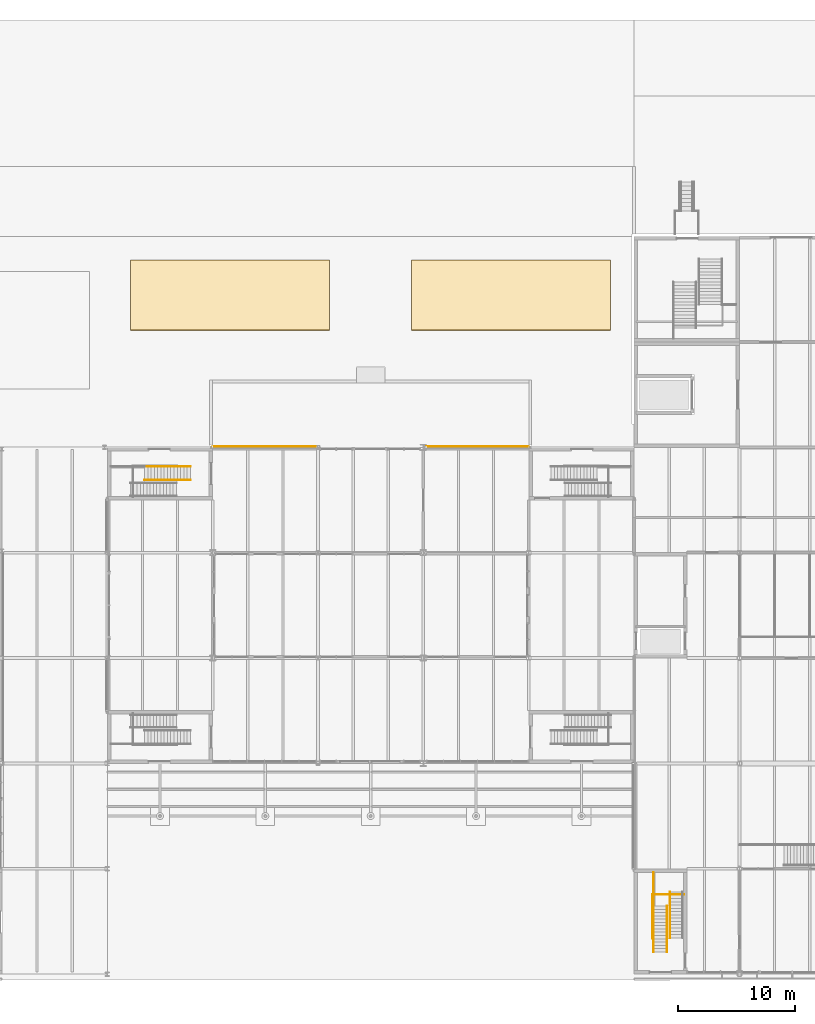
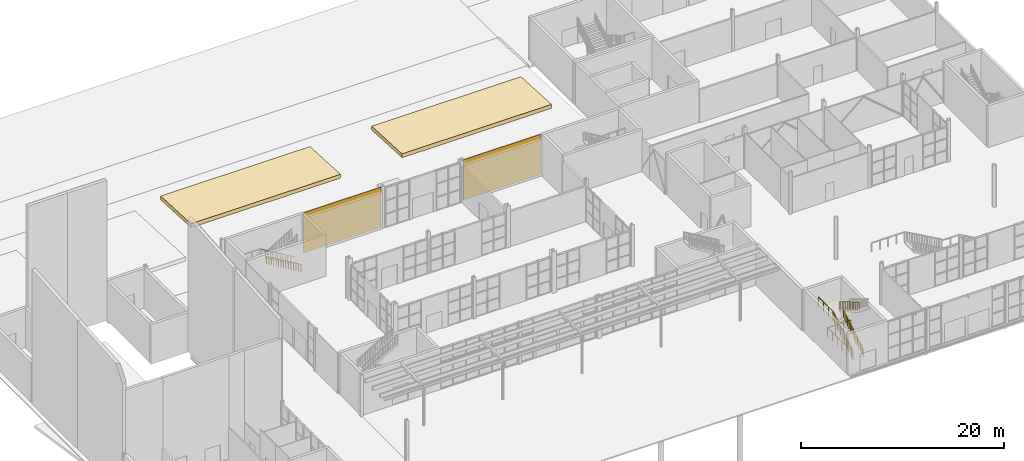
# One storey, part 56 of 63: 7 railings, 4 coverings.
"""IFC4 building model written with IfcOpenShell, lengths in metres."""

from ifc_helpers import new_model, si_unit, direction, frame, frame_2d, origin, origin_2d, place, context, subcontext, project, spatial, polyline, rectangle, circle, outline, extrude, material, layer, layer_set, type_object, element, save


model = new_model("IFC4")

# Units and contexts
model_context = context("Model", 3, precision=1e-05, world=origin(), true_north=direction((0.0, 1.0)))
body_context = subcontext(model_context, "Body", "Model", "MODEL_VIEW")
ifc_project = project(units=[si_unit("LENGTHUNIT", "METRE"), si_unit("AREAUNIT", "SQUARE_METRE"), si_unit("VOLUMEUNIT", "CUBIC_METRE"), si_unit("PLANEANGLEUNIT", "RADIAN"), si_unit("MASSUNIT", "GRAM", prefix="KILO")], contexts=[model_context])

# Site, building, storey
site_placement = place(None, origin())
site = spatial("IfcSite", under=ifc_project, at=site_placement, CompositionType="ELEMENT")
building_placement = place(site_placement, origin())
building = spatial("IfcBuilding", under=site, at=building_placement, Name="Halyard Row Museum", CompositionType="ELEMENT")
storey_placement = place(building_placement, origin())
storey = spatial("IfcBuildingStorey", under=building, at=storey_placement, Name="L00", CompositionType="ELEMENT", Elevation=0.0)

# Railings
ifc_material_1 = material(Name="Steel Grade 300", Category="steel")
railing_type_1 = type_object("IfcRailingType", Name="Guard GR2 steel balustrade 1100", PredefinedType="GUARDRAIL", material=ifc_material_1)
railing_1_placement = place(storey_placement, frame((34.10009765625, 43.35009765625, 0.166748046875)))
element("IfcRailing", 1, at=railing_1_placement, inside=storey, type_object=railing_type_1, Name="Guard GR003", PredefinedType="GUARDRAIL", context=body_context, shape_type="SweptSolid", body=[
    extrude(circle(Radius=0.02392578125, at=origin_2d()), frame((0.0, 0.0, 1.076171875), z_axis=(-0.859535888021, 0.0, 0.511075392877), x_axis=(0.0, -1.0, 0.0)), (0.0, 0.0, 1.0), 0.32568359375),
    extrude(circle(Radius=0.02392578125, at=origin_2d()), frame((-0.280029296875, 0.0, 1.24267578125), z_axis=(-0.859206643714, 0.0, 0.511628716353), x_axis=(0.0, -1.0, 0.0)), (0.0, 0.0, 1.0), 0.325927734375),
    extrude(circle(Radius=0.02392578125, at=origin_2d()), frame((-0.56005859375, 0.0, 1.4091796875), z_axis=(-0.859206643714, 0.0, 0.511628716353), x_axis=(0.0, -1.0, 0.0)), (0.0, 0.0, 1.0), 0.325927734375),
    extrude(circle(Radius=0.02392578125, at=origin_2d()), frame((-0.840087890625, 0.0, 1.576171875), z_axis=(-0.859535888021, 0.0, 0.511075392877), x_axis=(0.0, -1.0, 0.0)), (0.0, 0.0, 1.0), 0.32568359375),
    extrude(circle(Radius=0.02392578125, at=origin_2d()), frame((-1.1201171875, 0.0, 1.74267578125), z_axis=(-0.859206643714, 0.0, 0.511628716353), x_axis=(0.0, -1.0, 0.0)), (0.0, 0.0, 1.0), 0.325927734375),
    extrude(circle(Radius=0.02392578125, at=origin_2d()), frame((-1.400146484375, 0.0, 1.9091796875), z_axis=(-0.859206643714, 0.0, 0.511628716353), x_axis=(0.0, -1.0, 0.0)), (0.0, 0.0, 1.0), 0.325927734375),
    extrude(circle(Radius=0.02392578125, at=origin_2d()), frame((-1.68017578125, 0.0, 2.076171875), z_axis=(-0.859535888021, 0.0, 0.511075392877), x_axis=(0.0, -1.0, 0.0)), (0.0, 0.0, 1.0), 0.32568359375),
    extrude(circle(Radius=0.02392578125, at=origin_2d()), frame((-1.960205078125, 0.0, 2.24267578125), z_axis=(-0.859010369412, 0.0, 0.511958187006), x_axis=(0.0, -1.0, 0.0)), (0.0, 0.0, 1.0), 0.32568359375),
    extrude(circle(Radius=0.02392578125, at=origin_2d()), frame((-2.239990234375, 0.0, 2.4091796875), z_axis=(-0.859206643714, 0.0, 0.511628716353), x_axis=(0.0, -1.0, 0.0)), (0.0, 0.0, 1.0), 0.325927734375),
    extrude(circle(Radius=0.02392578125, at=origin_2d()), frame((-2.52001953125, 0.0, 2.576171875), z_axis=(-0.859535888021, 0.0, 0.511075392877), x_axis=(0.0, -1.0, 0.0)), (0.0, 0.0, 1.0), 0.32568359375),
    extrude(circle(Radius=0.02392578125, at=origin_2d()), frame((-2.800048828125, 0.0, 2.74267578125), z_axis=(-0.859206643714, 0.0, 0.511628716353), x_axis=(0.0, -1.0, 0.0)), (0.0, 0.0, 1.0), 0.325927734375),
    extrude(circle(Radius=0.02392578125, at=origin_2d()), frame((-3.080078125, 0.0, 2.9091796875), z_axis=(-0.859206643714, 0.0, 0.511628716353), x_axis=(0.0, -1.0, 0.0)), (0.0, 0.0, 1.0), 0.325927734375),
    extrude(circle(Radius=0.02392578125, at=origin_2d()), frame((-3.360107421875, 0.0, 3.076171875), z_axis=(-0.859535888021, 0.0, 0.511075392877), x_axis=(0.0, -1.0, 0.0)), (0.0, 0.0, 1.0), 0.32568359375),
    extrude(circle(Radius=0.02392578125, at=origin_2d()), frame((-3.64013671875, 0.0, 3.24267578125), z_axis=(-0.859206643714, 0.0, 0.511628716353), x_axis=(0.0, -1.0, 0.0)), (0.0, 0.0, 1.0), 0.325927734375),
    extrude(circle(Radius=0.02099609375, at=origin_2d()), origin(), (0.0, 0.0, 1.0), 1.052001953125),
    extrude(circle(Radius=0.02099609375, at=origin_2d()), frame((-0.280029296875, 0.0, 0.16650390625)), (0.0, 0.0, 1.0), 1.052001953125),
    extrude(circle(Radius=0.02099609375, at=origin_2d()), frame((-0.56005859375, 0.0, 0.333251953125)), (0.0, 0.0, 1.0), 1.052001953125),
    extrude(circle(Radius=0.02099609375, at=origin_2d()), frame((-0.840087890625, 0.0, 0.5)), (0.0, 0.0, 1.0), 1.052001953125),
    extrude(circle(Radius=0.02099609375, at=origin_2d()), frame((-1.1201171875, 0.0, 0.66650390625)), (0.0, 0.0, 1.0), 1.052001953125),
    extrude(circle(Radius=0.02099609375, at=origin_2d()), frame((-1.400146484375, 0.0, 0.833251953125)), (0.0, 0.0, 1.0), 1.052001953125),
    extrude(circle(Radius=0.02099609375, at=origin_2d()), frame((-1.68017578125, 0.0, 1.0)), (0.0, 0.0, 1.0), 1.052001953125),
    extrude(circle(Radius=0.02099609375, at=origin_2d()), frame((-1.960205078125, 0.0, 1.16650390625)), (0.0, 0.0, 1.0), 1.052001953125),
    extrude(circle(Radius=0.02099609375, at=origin_2d()), frame((-2.239990234375, 0.0, 1.333251953125)), (0.0, 0.0, 1.0), 1.052001953125),
    extrude(circle(Radius=0.02099609375, at=origin_2d()), frame((-2.52001953125, 0.0, 1.5)), (0.0, 0.0, 1.0), 1.052001953125),
    extrude(circle(Radius=0.02099609375, at=origin_2d()), frame((-2.800048828125, 0.0, 1.66650390625)), (0.0, 0.0, 1.0), 1.052001953125),
    extrude(circle(Radius=0.02099609375, at=origin_2d()), frame((-3.080078125, 0.0, 1.833251953125)), (0.0, 0.0, 1.0), 1.052001953125),
    extrude(circle(Radius=0.02099609375, at=origin_2d()), frame((-3.360107421875, 0.0, 2.0)), (0.0, 0.0, 1.0), 1.052001953125),
    extrude(circle(Radius=0.02099609375, at=origin_2d()), frame((-3.64013671875, 0.0, 2.16650390625)), (0.0, 0.0, 1.0), 1.052001953125),
    extrude(circle(Radius=0.02099609375, at=origin_2d()), frame((-3.920166015625, 0.0, 2.333251953125)), (0.0, 0.0, 1.0), 1.052001953125),
])
railing_2_placement = place(storey_placement, frame((73.64990234375, 1.89990234375, 0.166748046875)))
element("IfcRailing", 2, at=railing_2_placement, inside=storey, type_object=railing_type_1, Name="Guard GR039", PredefinedType="GUARDRAIL", context=body_context, shape_type="SweptSolid", body=[
    extrude(circle(Radius=0.02392578125, at=origin_2d()), frame((0.0, 0.0, 1.076171875), z_axis=(0.0, 0.859535888021, 0.511075392877), x_axis=(-1.0, 0.0, 0.0)), (0.0, 0.0, 1.0), 0.32568359375),
    extrude(circle(Radius=0.02392578125, at=origin_2d()), frame((0.0, 0.280029296875, 1.24267578125), z_axis=(0.0, 0.859206643714, 0.511628716353), x_axis=(-1.0, 0.0, 0.0)), (0.0, 0.0, 1.0), 0.325927734375),
    extrude(circle(Radius=0.02392578125, at=origin_2d()), frame((0.0, 0.56005859375, 1.4091796875), z_axis=(0.0, 0.859206643714, 0.511628716353), x_axis=(-1.0, 0.0, 0.0)), (0.0, 0.0, 1.0), 0.325927734375),
    extrude(circle(Radius=0.02392578125, at=origin_2d()), frame((0.0, 0.840087890625, 1.576171875), z_axis=(0.0, 0.859535888021, 0.511075392877), x_axis=(-1.0, 0.0, 0.0)), (0.0, 0.0, 1.0), 0.32568359375),
    extrude(circle(Radius=0.02392578125, at=origin_2d()), frame((0.0, 1.1201171875, 1.74267578125), z_axis=(0.0, 0.859206643714, 0.511628716353), x_axis=(-1.0, 0.0, 0.0)), (0.0, 0.0, 1.0), 0.325927734375),
    extrude(circle(Radius=0.02392578125, at=origin_2d()), frame((0.0, 1.400146484375, 1.9091796875), z_axis=(0.0, 0.859206643714, 0.511628716353), x_axis=(-1.0, 0.0, 0.0)), (0.0, 0.0, 1.0), 0.325927734375),
    extrude(circle(Radius=0.02392578125, at=origin_2d()), frame((0.0, 1.68017578125, 2.076171875), z_axis=(0.0, 0.859535888021, 0.511075392877), x_axis=(-1.0, 0.0, 0.0)), (0.0, 0.0, 1.0), 0.32568359375),
    extrude(circle(Radius=0.02392578125, at=origin_2d()), frame((0.0, 1.960205078125, 2.24267578125), z_axis=(0.0, 0.859010369412, 0.511958187006), x_axis=(-1.0, 0.0, 0.0)), (0.0, 0.0, 1.0), 0.32568359375),
    extrude(circle(Radius=0.02392578125, at=origin_2d()), frame((0.0, 2.239990234375, 2.4091796875), z_axis=(0.0, 0.859206643714, 0.511628716353), x_axis=(-1.0, 0.0, 0.0)), (0.0, 0.0, 1.0), 0.325927734375),
    extrude(circle(Radius=0.02392578125, at=origin_2d()), frame((0.0, 2.52001953125, 2.576171875), z_axis=(0.0, 0.859535888021, 0.511075392877), x_axis=(-1.0, 0.0, 0.0)), (0.0, 0.0, 1.0), 0.32568359375),
    extrude(circle(Radius=0.02392578125, at=origin_2d()), frame((0.0, 2.800048828125, 2.74267578125), z_axis=(0.0, 0.859206643714, 0.511628716353), x_axis=(-1.0, 0.0, 0.0)), (0.0, 0.0, 1.0), 0.325927734375),
    extrude(circle(Radius=0.02392578125, at=origin_2d()), frame((0.0, 3.080078125, 2.9091796875), z_axis=(0.0, 0.859206643714, 0.511628716353), x_axis=(-1.0, 0.0, 0.0)), (0.0, 0.0, 1.0), 0.325927734375),
    extrude(circle(Radius=0.02392578125, at=origin_2d()), frame((0.0, 3.360107421875, 3.076171875), z_axis=(0.0, 0.859535888021, 0.511075392877), x_axis=(-1.0, 0.0, 0.0)), (0.0, 0.0, 1.0), 0.32568359375),
    extrude(circle(Radius=0.02392578125, at=origin_2d()), frame((0.0, 3.64013671875, 3.24267578125), z_axis=(0.0, 0.859206643714, 0.511628716353), x_axis=(-1.0, 0.0, 0.0)), (0.0, 0.0, 1.0), 0.325927734375),
    extrude(circle(Radius=0.02099609375, at=origin_2d()), origin(), (0.0, 0.0, 1.0), 1.052001953125),
    extrude(circle(Radius=0.02099609375, at=origin_2d()), frame((0.0, 0.280029296875, 0.16650390625)), (0.0, 0.0, 1.0), 1.052001953125),
    extrude(circle(Radius=0.02099609375, at=origin_2d()), frame((0.0, 0.56005859375, 0.333251953125)), (0.0, 0.0, 1.0), 1.052001953125),
    extrude(circle(Radius=0.02099609375, at=origin_2d()), frame((0.0, 0.840087890625, 0.5)), (0.0, 0.0, 1.0), 1.052001953125),
    extrude(circle(Radius=0.02099609375, at=origin_2d()), frame((0.0, 1.1201171875, 0.66650390625)), (0.0, 0.0, 1.0), 1.052001953125),
    extrude(circle(Radius=0.02099609375, at=origin_2d()), frame((0.0, 1.400146484375, 0.833251953125)), (0.0, 0.0, 1.0), 1.052001953125),
    extrude(circle(Radius=0.02099609375, at=origin_2d()), frame((0.0, 1.68017578125, 1.0)), (0.0, 0.0, 1.0), 1.052001953125),
    extrude(circle(Radius=0.02099609375, at=origin_2d()), frame((0.0, 1.960205078125, 1.16650390625)), (0.0, 0.0, 1.0), 1.052001953125),
    extrude(circle(Radius=0.02099609375, at=origin_2d()), frame((0.0, 2.239990234375, 1.333251953125)), (0.0, 0.0, 1.0), 1.052001953125),
    extrude(circle(Radius=0.02099609375, at=origin_2d()), frame((0.0, 2.52001953125, 1.5)), (0.0, 0.0, 1.0), 1.052001953125),
    extrude(circle(Radius=0.02099609375, at=origin_2d()), frame((0.0, 2.800048828125, 1.66650390625)), (0.0, 0.0, 1.0), 1.052001953125),
    extrude(circle(Radius=0.02099609375, at=origin_2d()), frame((0.0, 3.080078125, 1.833251953125)), (0.0, 0.0, 1.0), 1.052001953125),
    extrude(circle(Radius=0.02099609375, at=origin_2d()), frame((0.0, 3.360107421875, 2.0)), (0.0, 0.0, 1.0), 1.052001953125),
    extrude(circle(Radius=0.02099609375, at=origin_2d()), frame((0.0, 3.64013671875, 2.16650390625)), (0.0, 0.0, 1.0), 1.052001953125),
    extrude(circle(Radius=0.02099609375, at=origin_2d()), frame((0.0, 3.920166015625, 2.333251953125)), (0.0, 0.0, 1.0), 1.052001953125),
])
railing_3_placement = place(storey_placement, frame((73.64990234375, 5.820068359375, 2.5)))
element("IfcRailing", 3, at=railing_3_placement, inside=storey, type_object=railing_type_1, Name="Guard GR040", PredefinedType="GUARDRAIL", context=body_context, shape_type="SweptSolid", body=[
    extrude(circle(Radius=0.02392578125, at=origin_2d()), frame((0.0, 0.0, 1.076171875), z_axis=(0.0, 1.0, 0.0), x_axis=(-1.0, 0.0, 0.0)), (0.0, 0.0, 1.0), 2.8798828125),
    extrude(circle(Radius=0.02099609375, at=origin_2d()), origin(), (0.0, 0.0, 1.0), 1.052001953125),
    extrude(circle(Radius=0.02099609375, at=origin_2d()), frame((0.0, 0.9599609375, 0.0)), (0.0, 0.0, 1.0), 1.052001953125),
    extrude(circle(Radius=0.02099609375, at=origin_2d()), frame((0.0, 1.919921875, 0.0)), (0.0, 0.0, 1.0), 1.052001953125),
    extrude(circle(Radius=0.02099609375, at=origin_2d()), frame((0.0, 2.8798828125, 0.0)), (0.0, 0.0, 1.0), 1.052001953125),
])
railing_4_placement = place(storey_placement, frame((73.590087890625, 3.0400390625, 0.0)))
element("IfcRailing", 4, at=railing_4_placement, inside=storey, type_object=railing_type_1, Name="Guard GR155", PredefinedType="GUARDRAIL", context=body_context, shape_type="SweptSolid", body=[
    extrude(circle(Radius=0.02392578125, at=origin_2d()), frame((0.0, 0.0, 1.076171875), z_axis=(0.0, 1.0, 0.0), x_axis=(-1.0, 0.0, 0.0)), (0.0, 0.0, 1.0), 3.760009765625),
    extrude(circle(Radius=0.02392578125, at=origin_2d()), frame((0.0, 3.760009765625, 1.076171875), z_axis=(1.0, 0.0, 0.0), x_axis=(0.0, 1.0, 0.0)), (0.0, 0.0, 1.0), 2.669921875),
    extrude(circle(Radius=0.02099609375, at=origin_2d()), origin(), (0.0, 0.0, 1.0), 1.052001953125),
    extrude(circle(Radius=0.02099609375, at=origin_2d()), frame((0.0, 0.93994140625, 0.0)), (0.0, 0.0, 1.0), 1.052001953125),
    extrude(circle(Radius=0.02099609375, at=origin_2d()), frame((0.0, 1.8798828125, 0.0)), (0.0, 0.0, 1.0), 1.052001953125),
    extrude(circle(Radius=0.02099609375, at=origin_2d()), frame((0.0, 2.820068359375, 0.0)), (0.0, 0.0, 1.0), 1.052001953125),
    extrude(circle(Radius=0.02099609375, at=origin_2d()), frame((0.0, 3.760009765625, 0.0)), (0.0, 0.0, 1.0), 1.052001953125),
    extrude(circle(Radius=0.02099609375, at=origin_2d()), frame((0.889892578125, 3.760009765625, 0.0)), (0.0, 0.0, 1.0), 1.052001953125),
    extrude(circle(Radius=0.02099609375, at=origin_2d()), frame((1.780029296875, 3.760009765625, 0.0)), (0.0, 0.0, 1.0), 1.052001953125),
    extrude(circle(Radius=0.02099609375, at=origin_2d()), frame((2.669921875, 3.760009765625, 0.0)), (0.0, 0.0, 1.0), 1.052001953125),
])
ifc_material_2 = material(Name="Steel Grade 300", Category="steel")
railing_type_2 = type_object("IfcRailingType", Name="Handrail HR2 steel 900", PredefinedType="HANDRAIL", material=ifc_material_2)
railing_5_placement = place(storey_placement, frame((34.10009765625, 42.199951171875, 0.166748046875)))
element("IfcRailing", 5, at=railing_5_placement, inside=storey, type_object=railing_type_2, Name="Handrail HR004", PredefinedType="HANDRAIL", context=body_context, shape_type="SweptSolid", body=[
    extrude(circle(Radius=0.02392578125, at=origin_2d()), frame((0.0, 0.0, 0.8759765625), z_axis=(-0.859535888021, 0.0, 0.511075392877), x_axis=(0.0, -1.0, 0.0)), (0.0, 0.0, 1.0), 0.32568359375),
    extrude(circle(Radius=0.02392578125, at=origin_2d()), frame((-0.280029296875, 0.0, 1.04248046875), z_axis=(-0.859206643714, 0.0, 0.511628716353), x_axis=(0.0, -1.0, 0.0)), (0.0, 0.0, 1.0), 0.325927734375),
    extrude(circle(Radius=0.02392578125, at=origin_2d()), frame((-0.56005859375, 0.0, 1.208984375), z_axis=(-0.859206643714, 0.0, 0.511628716353), x_axis=(0.0, -1.0, 0.0)), (0.0, 0.0, 1.0), 0.325927734375),
    extrude(circle(Radius=0.02392578125, at=origin_2d()), frame((-0.840087890625, 0.0, 1.3759765625), z_axis=(-0.859535888021, 0.0, 0.511075392877), x_axis=(0.0, -1.0, 0.0)), (0.0, 0.0, 1.0), 0.32568359375),
    extrude(circle(Radius=0.02392578125, at=origin_2d()), frame((-1.1201171875, 0.0, 1.54248046875), z_axis=(-0.859206643714, 0.0, 0.511628716353), x_axis=(0.0, -1.0, 0.0)), (0.0, 0.0, 1.0), 0.325927734375),
    extrude(circle(Radius=0.02392578125, at=origin_2d()), frame((-1.400146484375, 0.0, 1.708984375), z_axis=(-0.859206643714, 0.0, 0.511628716353), x_axis=(0.0, -1.0, 0.0)), (0.0, 0.0, 1.0), 0.325927734375),
    extrude(circle(Radius=0.02392578125, at=origin_2d()), frame((-1.68017578125, 0.0, 1.8759765625), z_axis=(-0.859535888021, 0.0, 0.511075392877), x_axis=(0.0, -1.0, 0.0)), (0.0, 0.0, 1.0), 0.32568359375),
    extrude(circle(Radius=0.02392578125, at=origin_2d()), frame((-1.960205078125, 0.0, 2.04248046875), z_axis=(-0.859010369412, 0.0, 0.511958187006), x_axis=(0.0, -1.0, 0.0)), (0.0, 0.0, 1.0), 0.32568359375),
    extrude(circle(Radius=0.02392578125, at=origin_2d()), frame((-2.239990234375, 0.0, 2.208984375), z_axis=(-0.859206643714, 0.0, 0.511628716353), x_axis=(0.0, -1.0, 0.0)), (0.0, 0.0, 1.0), 0.325927734375),
    extrude(circle(Radius=0.02392578125, at=origin_2d()), frame((-2.52001953125, 0.0, 2.3759765625), z_axis=(-0.859535888021, 0.0, 0.511075392877), x_axis=(0.0, -1.0, 0.0)), (0.0, 0.0, 1.0), 0.32568359375),
    extrude(circle(Radius=0.02392578125, at=origin_2d()), frame((-2.800048828125, 0.0, 2.54248046875), z_axis=(-0.859206643714, 0.0, 0.511628716353), x_axis=(0.0, -1.0, 0.0)), (0.0, 0.0, 1.0), 0.325927734375),
    extrude(circle(Radius=0.02392578125, at=origin_2d()), frame((-3.080078125, 0.0, 2.708984375), z_axis=(-0.859206643714, 0.0, 0.511628716353), x_axis=(0.0, -1.0, 0.0)), (0.0, 0.0, 1.0), 0.325927734375),
    extrude(circle(Radius=0.02392578125, at=origin_2d()), frame((-3.360107421875, 0.0, 2.8759765625), z_axis=(-0.859535888021, 0.0, 0.511075392877), x_axis=(0.0, -1.0, 0.0)), (0.0, 0.0, 1.0), 0.32568359375),
    extrude(circle(Radius=0.02392578125, at=origin_2d()), frame((-3.64013671875, 0.0, 3.04248046875), z_axis=(-0.859206643714, 0.0, 0.511628716353), x_axis=(0.0, -1.0, 0.0)), (0.0, 0.0, 1.0), 0.325927734375),
    extrude(circle(Radius=0.02099609375, at=origin_2d()), origin(), (0.0, 0.0, 1.0), 0.851806640625),
    extrude(circle(Radius=0.02099609375, at=origin_2d()), frame((-0.280029296875, 0.0, 0.16650390625)), (0.0, 0.0, 1.0), 0.851806640625),
    extrude(circle(Radius=0.02099609375, at=origin_2d()), frame((-0.56005859375, 0.0, 0.333251953125)), (0.0, 0.0, 1.0), 0.851806640625),
    extrude(circle(Radius=0.02099609375, at=origin_2d()), frame((-0.840087890625, 0.0, 0.5)), (0.0, 0.0, 1.0), 0.851806640625),
    extrude(circle(Radius=0.02099609375, at=origin_2d()), frame((-1.1201171875, 0.0, 0.66650390625)), (0.0, 0.0, 1.0), 0.851806640625),
    extrude(circle(Radius=0.02099609375, at=origin_2d()), frame((-1.400146484375, 0.0, 0.833251953125)), (0.0, 0.0, 1.0), 0.851806640625),
    extrude(circle(Radius=0.02099609375, at=origin_2d()), frame((-1.68017578125, 0.0, 1.0)), (0.0, 0.0, 1.0), 0.851806640625),
    extrude(circle(Radius=0.02099609375, at=origin_2d()), frame((-1.960205078125, 0.0, 1.16650390625)), (0.0, 0.0, 1.0), 0.851806640625),
    extrude(circle(Radius=0.02099609375, at=origin_2d()), frame((-2.239990234375, 0.0, 1.333251953125)), (0.0, 0.0, 1.0), 0.851806640625),
    extrude(circle(Radius=0.02099609375, at=origin_2d()), frame((-2.52001953125, 0.0, 1.5)), (0.0, 0.0, 1.0), 0.851806640625),
    extrude(circle(Radius=0.02099609375, at=origin_2d()), frame((-2.800048828125, 0.0, 1.66650390625)), (0.0, 0.0, 1.0), 0.851806640625),
    extrude(circle(Radius=0.02099609375, at=origin_2d()), frame((-3.080078125, 0.0, 1.833251953125)), (0.0, 0.0, 1.0), 0.851806640625),
    extrude(circle(Radius=0.02099609375, at=origin_2d()), frame((-3.360107421875, 0.0, 2.0)), (0.0, 0.0, 1.0), 0.851806640625),
    extrude(circle(Radius=0.02099609375, at=origin_2d()), frame((-3.64013671875, 0.0, 2.16650390625)), (0.0, 0.0, 1.0), 0.851806640625),
    extrude(circle(Radius=0.02099609375, at=origin_2d()), frame((-3.920166015625, 0.0, 2.333251953125)), (0.0, 0.0, 1.0), 0.851806640625),
])
railing_6_placement = place(storey_placement, frame((74.800048828125, 1.89990234375, 0.166748046875)))
element("IfcRailing", 6, at=railing_6_placement, inside=storey, type_object=railing_type_2, Name="Handrail HR058", PredefinedType="HANDRAIL", context=body_context, shape_type="SweptSolid", body=[
    extrude(circle(Radius=0.02392578125, at=origin_2d()), frame((0.0, 0.0, 0.8759765625), z_axis=(0.0, 0.859535888021, 0.511075392877), x_axis=(-1.0, 0.0, 0.0)), (0.0, 0.0, 1.0), 0.32568359375),
    extrude(circle(Radius=0.02392578125, at=origin_2d()), frame((0.0, 0.280029296875, 1.04248046875), z_axis=(0.0, 0.859206643714, 0.511628716353), x_axis=(-1.0, 0.0, 0.0)), (0.0, 0.0, 1.0), 0.325927734375),
    extrude(circle(Radius=0.02392578125, at=origin_2d()), frame((0.0, 0.56005859375, 1.208984375), z_axis=(0.0, 0.859206643714, 0.511628716353), x_axis=(-1.0, 0.0, 0.0)), (0.0, 0.0, 1.0), 0.325927734375),
    extrude(circle(Radius=0.02392578125, at=origin_2d()), frame((0.0, 0.840087890625, 1.3759765625), z_axis=(0.0, 0.859535888021, 0.511075392877), x_axis=(-1.0, 0.0, 0.0)), (0.0, 0.0, 1.0), 0.32568359375),
    extrude(circle(Radius=0.02392578125, at=origin_2d()), frame((0.0, 1.1201171875, 1.54248046875), z_axis=(0.0, 0.859206643714, 0.511628716353), x_axis=(-1.0, 0.0, 0.0)), (0.0, 0.0, 1.0), 0.325927734375),
    extrude(circle(Radius=0.02392578125, at=origin_2d()), frame((0.0, 1.400146484375, 1.708984375), z_axis=(0.0, 0.859206643714, 0.511628716353), x_axis=(-1.0, 0.0, 0.0)), (0.0, 0.0, 1.0), 0.325927734375),
    extrude(circle(Radius=0.02392578125, at=origin_2d()), frame((0.0, 1.68017578125, 1.8759765625), z_axis=(0.0, 0.859535888021, 0.511075392877), x_axis=(-1.0, 0.0, 0.0)), (0.0, 0.0, 1.0), 0.32568359375),
    extrude(circle(Radius=0.02392578125, at=origin_2d()), frame((0.0, 1.960205078125, 2.04248046875), z_axis=(0.0, 0.859010369412, 0.511958187006), x_axis=(-1.0, 0.0, 0.0)), (0.0, 0.0, 1.0), 0.32568359375),
    extrude(circle(Radius=0.02392578125, at=origin_2d()), frame((0.0, 2.239990234375, 2.208984375), z_axis=(0.0, 0.859206643714, 0.511628716353), x_axis=(-1.0, 0.0, 0.0)), (0.0, 0.0, 1.0), 0.325927734375),
    extrude(circle(Radius=0.02392578125, at=origin_2d()), frame((0.0, 2.52001953125, 2.3759765625), z_axis=(0.0, 0.859535888021, 0.511075392877), x_axis=(-1.0, 0.0, 0.0)), (0.0, 0.0, 1.0), 0.32568359375),
    extrude(circle(Radius=0.02392578125, at=origin_2d()), frame((0.0, 2.800048828125, 2.54248046875), z_axis=(0.0, 0.859206643714, 0.511628716353), x_axis=(-1.0, 0.0, 0.0)), (0.0, 0.0, 1.0), 0.325927734375),
    extrude(circle(Radius=0.02392578125, at=origin_2d()), frame((0.0, 3.080078125, 2.708984375), z_axis=(0.0, 0.859206643714, 0.511628716353), x_axis=(-1.0, 0.0, 0.0)), (0.0, 0.0, 1.0), 0.325927734375),
    extrude(circle(Radius=0.02392578125, at=origin_2d()), frame((0.0, 3.360107421875, 2.8759765625), z_axis=(0.0, 0.859535888021, 0.511075392877), x_axis=(-1.0, 0.0, 0.0)), (0.0, 0.0, 1.0), 0.32568359375),
    extrude(circle(Radius=0.02392578125, at=origin_2d()), frame((0.0, 3.64013671875, 3.04248046875), z_axis=(0.0, 0.859206643714, 0.511628716353), x_axis=(-1.0, 0.0, 0.0)), (0.0, 0.0, 1.0), 0.325927734375),
    extrude(circle(Radius=0.02099609375, at=origin_2d()), origin(), (0.0, 0.0, 1.0), 0.851806640625),
    extrude(circle(Radius=0.02099609375, at=origin_2d()), frame((0.0, 0.280029296875, 0.16650390625)), (0.0, 0.0, 1.0), 0.851806640625),
    extrude(circle(Radius=0.02099609375, at=origin_2d()), frame((0.0, 0.56005859375, 0.333251953125)), (0.0, 0.0, 1.0), 0.851806640625),
    extrude(circle(Radius=0.02099609375, at=origin_2d()), frame((0.0, 0.840087890625, 0.5)), (0.0, 0.0, 1.0), 0.851806640625),
    extrude(circle(Radius=0.02099609375, at=origin_2d()), frame((0.0, 1.1201171875, 0.66650390625)), (0.0, 0.0, 1.0), 0.851806640625),
    extrude(circle(Radius=0.02099609375, at=origin_2d()), frame((0.0, 1.400146484375, 0.833251953125)), (0.0, 0.0, 1.0), 0.851806640625),
    extrude(circle(Radius=0.02099609375, at=origin_2d()), frame((0.0, 1.68017578125, 1.0)), (0.0, 0.0, 1.0), 0.851806640625),
    extrude(circle(Radius=0.02099609375, at=origin_2d()), frame((0.0, 1.960205078125, 1.16650390625)), (0.0, 0.0, 1.0), 0.851806640625),
    extrude(circle(Radius=0.02099609375, at=origin_2d()), frame((0.0, 2.239990234375, 1.333251953125)), (0.0, 0.0, 1.0), 0.851806640625),
    extrude(circle(Radius=0.02099609375, at=origin_2d()), frame((0.0, 2.52001953125, 1.5)), (0.0, 0.0, 1.0), 0.851806640625),
    extrude(circle(Radius=0.02099609375, at=origin_2d()), frame((0.0, 2.800048828125, 1.66650390625)), (0.0, 0.0, 1.0), 0.851806640625),
    extrude(circle(Radius=0.02099609375, at=origin_2d()), frame((0.0, 3.080078125, 1.833251953125)), (0.0, 0.0, 1.0), 0.851806640625),
    extrude(circle(Radius=0.02099609375, at=origin_2d()), frame((0.0, 3.360107421875, 2.0)), (0.0, 0.0, 1.0), 0.851806640625),
    extrude(circle(Radius=0.02099609375, at=origin_2d()), frame((0.0, 3.64013671875, 2.16650390625)), (0.0, 0.0, 1.0), 0.851806640625),
    extrude(circle(Radius=0.02099609375, at=origin_2d()), frame((0.0, 3.920166015625, 2.333251953125)), (0.0, 0.0, 1.0), 0.851806640625),
])
railing_7_placement = place(storey_placement, frame((75.050048828125, 7.02001953125, 2.666748046875)))
element("IfcRailing", 7, at=railing_7_placement, inside=storey, type_object=railing_type_2, Name="Handrail HR060", PredefinedType="HANDRAIL", context=body_context, shape_type="SweptSolid", body=[
    extrude(circle(Radius=0.02392578125, at=origin_2d()), frame((0.0, 0.0, 0.8759765625), z_axis=(0.0, -0.859535888021, 0.511075392877), x_axis=(1.0, 0.0, 0.0)), (0.0, 0.0, 1.0), 0.32568359375),
    extrude(circle(Radius=0.02392578125, at=origin_2d()), frame((0.0, -0.280029296875, 1.04248046875), z_axis=(0.0, -0.859206643714, 0.511628716353), x_axis=(1.0, 0.0, 0.0)), (0.0, 0.0, 1.0), 0.325927734375),
    extrude(circle(Radius=0.02392578125, at=origin_2d()), frame((0.0, -0.56005859375, 1.208984375), z_axis=(0.0, -0.859206643714, 0.511628716353), x_axis=(1.0, 0.0, 0.0)), (0.0, 0.0, 1.0), 0.325927734375),
    extrude(circle(Radius=0.02392578125, at=origin_2d()), frame((0.0, -0.840087890625, 1.3759765625), z_axis=(0.0, -0.859535888021, 0.511075392877), x_axis=(1.0, 0.0, 0.0)), (0.0, 0.0, 1.0), 0.32568359375),
    extrude(circle(Radius=0.02392578125, at=origin_2d()), frame((0.0, -1.1201171875, 1.54248046875), z_axis=(0.0, -0.859010369412, 0.511958187006), x_axis=(1.0, 0.0, 0.0)), (0.0, 0.0, 1.0), 0.32568359375),
    extrude(circle(Radius=0.02392578125, at=origin_2d()), frame((0.0, -1.39990234375, 1.708984375), z_axis=(0.0, -0.859206643714, 0.511628716353), x_axis=(1.0, 0.0, 0.0)), (0.0, 0.0, 1.0), 0.325927734375),
    extrude(circle(Radius=0.02392578125, at=origin_2d()), frame((0.0, -1.679931640625, 1.8759765625), z_axis=(0.0, -0.859535888021, 0.511075392877), x_axis=(1.0, 0.0, 0.0)), (0.0, 0.0, 1.0), 0.32568359375),
    extrude(circle(Radius=0.02392578125, at=origin_2d()), frame((0.0, -1.9599609375, 2.04248046875), z_axis=(0.0, -0.859206643714, 0.511628716353), x_axis=(1.0, 0.0, 0.0)), (0.0, 0.0, 1.0), 0.325927734375),
    extrude(circle(Radius=0.02392578125, at=origin_2d()), frame((0.0, -2.239990234375, 2.208984375), z_axis=(0.0, -0.859206643714, 0.511628716353), x_axis=(1.0, 0.0, 0.0)), (0.0, 0.0, 1.0), 0.325927734375),
    extrude(circle(Radius=0.02392578125, at=origin_2d()), frame((0.0, -2.52001953125, 2.3759765625), z_axis=(0.0, -0.859535888021, 0.511075392877), x_axis=(1.0, 0.0, 0.0)), (0.0, 0.0, 1.0), 0.32568359375),
    extrude(circle(Radius=0.02392578125, at=origin_2d()), frame((0.0, -2.800048828125, 2.54248046875), z_axis=(0.0, -0.859206643714, 0.511628716353), x_axis=(1.0, 0.0, 0.0)), (0.0, 0.0, 1.0), 0.325927734375),
    extrude(circle(Radius=0.02392578125, at=origin_2d()), frame((0.0, -3.080078125, 2.708984375), z_axis=(0.0, -0.859206643714, 0.511628716353), x_axis=(1.0, 0.0, 0.0)), (0.0, 0.0, 1.0), 0.325927734375),
    extrude(circle(Radius=0.02392578125, at=origin_2d()), frame((0.0, -3.360107421875, 2.8759765625), z_axis=(0.0, -0.859535888021, 0.511075392877), x_axis=(1.0, 0.0, 0.0)), (0.0, 0.0, 1.0), 0.32568359375),
    extrude(circle(Radius=0.02392578125, at=origin_2d()), frame((0.0, -3.64013671875, 3.04248046875), z_axis=(0.0, -0.859010369412, 0.511958187006), x_axis=(1.0, 0.0, 0.0)), (0.0, 0.0, 1.0), 0.32568359375),
    extrude(circle(Radius=0.02099609375, at=origin_2d()), origin(), (0.0, 0.0, 1.0), 0.851806640625),
    extrude(circle(Radius=0.02099609375, at=origin_2d()), frame((0.0, -0.280029296875, 0.16650390625)), (0.0, 0.0, 1.0), 0.851806640625),
    extrude(circle(Radius=0.02099609375, at=origin_2d()), frame((0.0, -0.56005859375, 0.333251953125)), (0.0, 0.0, 1.0), 0.851806640625),
    extrude(circle(Radius=0.02099609375, at=origin_2d()), frame((0.0, -0.840087890625, 0.5)), (0.0, 0.0, 1.0), 0.851806640625),
    extrude(circle(Radius=0.02099609375, at=origin_2d()), frame((0.0, -1.1201171875, 0.66650390625)), (0.0, 0.0, 1.0), 0.851806640625),
    extrude(circle(Radius=0.02099609375, at=origin_2d()), frame((0.0, -1.39990234375, 0.833251953125)), (0.0, 0.0, 1.0), 0.851806640625),
    extrude(circle(Radius=0.02099609375, at=origin_2d()), frame((0.0, -1.679931640625, 1.0)), (0.0, 0.0, 1.0), 0.851806640625),
    extrude(circle(Radius=0.02099609375, at=origin_2d()), frame((0.0, -1.9599609375, 1.16650390625)), (0.0, 0.0, 1.0), 0.851806640625),
    extrude(circle(Radius=0.02099609375, at=origin_2d()), frame((0.0, -2.239990234375, 1.333251953125)), (0.0, 0.0, 1.0), 0.851806640625),
    extrude(circle(Radius=0.02099609375, at=origin_2d()), frame((0.0, -2.52001953125, 1.5)), (0.0, 0.0, 1.0), 0.851806640625),
    extrude(circle(Radius=0.02099609375, at=origin_2d()), frame((0.0, -2.800048828125, 1.66650390625)), (0.0, 0.0, 1.0), 0.851806640625),
    extrude(circle(Radius=0.02099609375, at=origin_2d()), frame((0.0, -3.080078125, 1.833251953125)), (0.0, 0.0, 1.0), 0.851806640625),
    extrude(circle(Radius=0.02099609375, at=origin_2d()), frame((0.0, -3.360107421875, 2.0)), (0.0, 0.0, 1.0), 0.851806640625),
    extrude(circle(Radius=0.02099609375, at=origin_2d()), frame((0.0, -3.64013671875, 2.16650390625)), (0.0, 0.0, 1.0), 0.851806640625),
    extrude(circle(Radius=0.02099609375, at=origin_2d()), frame((0.0, -3.919921875, 2.333251953125)), (0.0, 0.0, 1.0), 0.851806640625),
])

# Coverings
ifc_material_3 = material(Name="Planting soil and mulch", Category="soil")
ifc_layer_1 = layer(ifc_material_3, 0.449951171875)
ifc_layer_set_1 = layer_set([ifc_layer_1], Name="Planting soil and mulch")
covering_type_1 = type_object("IfcCoveringType", Name="Planting bed 450", PredefinedType="USERDEFINED", material=ifc_layer_set_1)
for number, where, z_axis, x_axis, name in (
    (8, (29.0, 55.0, -0.050048828125), (0.0, 0.049945724537, 0.998751933465), (1.0, 0.0, 0.0), "Planting bed 3"),
    (9, (53.0, 55.0, -0.050048828125), (0.0, 0.049945724537, 0.998751933465), (1.0, 0.0, 0.0), "Planting bed 4"),
):
    element("IfcCovering", number, at=place(storey_placement, frame(where, z_axis=z_axis, x_axis=x_axis)), inside=storey, type_object=covering_type_1, Name=name, ObjectType="Planting bed", PredefinedType="USERDEFINED", context=body_context, shape_type="SweptSolid", body=[
        extrude(outline(polyline([(0.0, 0.0), (17.0, 0.0), (17.0, 6.007497756908378), (0.0, 6.007497756908378), (0.0, 0.0)])), origin(), (0.0, 0.0, -1.0), 0.449462890625),
    ])
ifc_material_4 = material(Name="Fire-retardant Type A timber battens", Category="wood")
ifc_layer_2 = layer(ifc_material_4, 0.050048828125)
ifc_layer_set_2 = layer_set([ifc_layer_2], Name="Fire-retardant Type A timber battens")
covering_type_2 = type_object("IfcCoveringType", Name="Timber batten cladding 50", PredefinedType="CLADDING", material=ifc_layer_set_2)
covering_1_placement = place(storey_placement, frame((63.0, 45.0849609375, 0.0), z_axis=(0.0, 0.0, 1.0), x_axis=(-1.0, 0.0, 0.0)))
element("IfcCovering", 10, at=covering_1_placement, inside=storey, type_object=covering_type_2, Name="Cladding CLL00-002", PredefinedType="CLADDING", context=body_context, shape_type="SweptSolid", body=[
    extrude(rectangle(XDim=8.75, YDim=0.050048828125, at=frame_2d((4.375, 0.0))), origin(), (0.0, 0.0, 1.0), 4.8349609375),
])
covering_2_placement = place(storey_placement, frame((44.85009765625, 45.0849609375, 0.0), z_axis=(0.0, 0.0, 1.0), x_axis=(-1.0, 0.0, 0.0)))
element("IfcCovering", 11, at=covering_2_placement, inside=storey, type_object=covering_type_2, Name="Cladding CLL00-003", PredefinedType="CLADDING", context=body_context, shape_type="SweptSolid", body=[
    extrude(rectangle(XDim=8.85009765625, YDim=0.050048828125, at=frame_2d((4.425048828125, 0.0))), origin(), (0.0, 0.0, 1.0), 4.8349609375),
])

save(model, "model.ifc")
